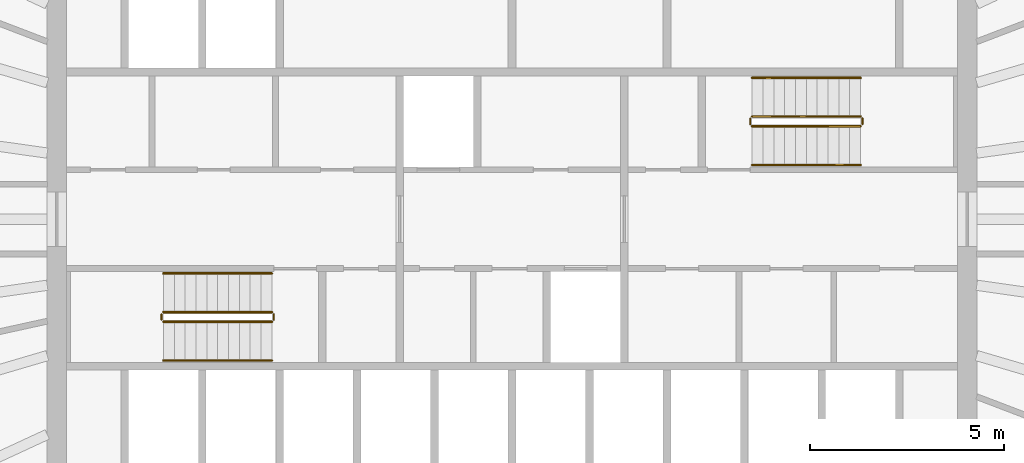
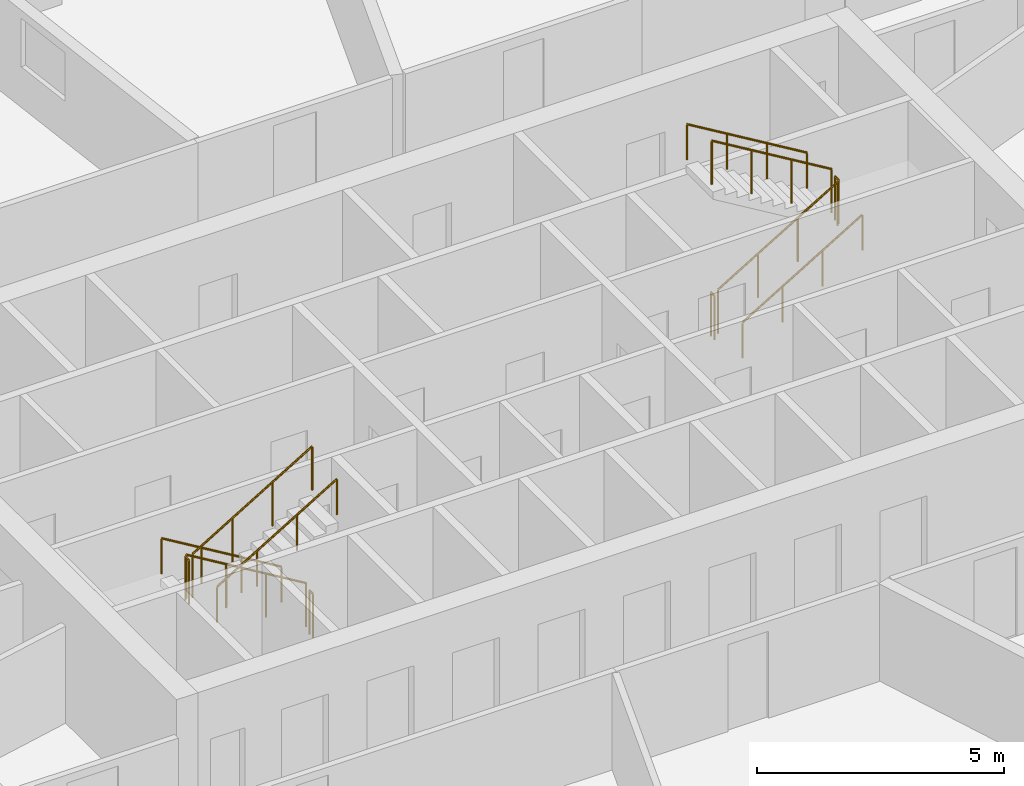
# One storey, part 12 of 12: 12 railings.
"""IFC4 building model written with IfcOpenShell, lengths in metres."""

from ifc_helpers import new_model, si_unit, direction, frame, origin, origin_2d, place, context, subcontext, project, spatial, circle, extrude, material, type_object, element, save


model = new_model("IFC4")

# Units and contexts
model_context = context("Model", 3, precision=1e-05, world=origin(), true_north=direction((0.0, 1.0)))
body_context = subcontext(model_context, "Body", "Model", "MODEL_VIEW")
ifc_project = project(units=[si_unit("LENGTHUNIT", "METRE"), si_unit("AREAUNIT", "SQUARE_METRE"), si_unit("VOLUMEUNIT", "CUBIC_METRE"), si_unit("PLANEANGLEUNIT", "RADIAN"), si_unit("MASSUNIT", "GRAM", prefix="KILO")], contexts=[model_context])

# Site, building, storey
site_placement = place(None, origin())
site = spatial("IfcSite", under=ifc_project, at=site_placement, CompositionType="ELEMENT")
building_placement = place(site_placement, origin())
building = spatial("IfcBuilding", under=site, at=building_placement, Name="Siaravel Broadcast Tower", CompositionType="ELEMENT")
storey_placement = place(building_placement, frame((0.0, 0.0, 111.89990234375)))
storey = spatial("IfcBuildingStorey", under=building, at=storey_placement, Name="L26", CompositionType="ELEMENT", Elevation=111.89990234375)

# Railings
ifc_material = material(Name="Stainless steel 316L", Category="steel")
railing_type_1 = type_object("IfcRailingType", Name="Stair guard 1100", PredefinedType="GUARDRAIL", material=ifc_material)
railing_1_placement = place(storey_placement, frame((-6.199951171875, -2.39990234375, 0.168212890625)))
element("IfcRailing", 1, at=railing_1_placement, inside=storey, type_object=railing_type_1, Name="L26 ST-1 stair guard 1", PredefinedType="GUARDRAIL", context=body_context, shape_type="SweptSolid", body=[
    extrude(circle(Radius=0.02392578125, at=origin_2d()), frame((0.0, 0.0, 1.076171875), z_axis=(-0.857242211, 0.0, 0.514913383), x_axis=(0.0, -1.0, 0.0)), (0.0, 0.0, 1.0), 3.266357421875),
    extrude(circle(Radius=0.02099609375, at=origin_2d()), origin(), (0.0, 0.0, 1.0), 1.052001953125),
    extrude(circle(Radius=0.02099609375, at=origin_2d()), frame((-0.933349609375, 0.0, 0.560546875)), (0.0, 0.0, 1.0), 1.052001953125),
    extrude(circle(Radius=0.02099609375, at=origin_2d()), frame((-1.86669921875, 0.0, 1.121337890625)), (0.0, 0.0, 1.0), 1.052001953125),
    extrude(circle(Radius=0.02099609375, at=origin_2d()), frame((-2.800048828125, 0.0, 1.681884765625)), (0.0, 0.0, 1.0), 1.052001953125),
])
railing_2_placement = place(storey_placement, frame((-9.050048828125, -2.449951171875, 1.85009765625)))
element("IfcRailing", 2, at=railing_2_placement, inside=storey, type_object=railing_type_1, Name="L26 ST-1 stair guard 2", PredefinedType="GUARDRAIL", context=body_context, shape_type="SweptSolid", body=[
    extrude(circle(Radius=0.02392578125, at=origin_2d()), frame((0.0, 0.0, 1.076171875), z_axis=(0.0, -1.0, 0.0), x_axis=(1.0, 0.0, 0.0)), (0.0, 0.0, 1.0), 0.150146484375),
    extrude(circle(Radius=0.02099609375, at=origin_2d()), origin(), (0.0, 0.0, 1.0), 1.052001953125),
    extrude(circle(Radius=0.02099609375, at=origin_2d()), frame((0.0, -0.150146484375, 0.0)), (0.0, 0.0, 1.0), 1.052001953125),
])
railing_3_placement = place(storey_placement, frame((-9.0, -2.64990234375, 2.018310546875)))
element("IfcRailing", 3, at=railing_3_placement, inside=storey, type_object=railing_type_1, Name="L26 ST-1 stair guard 3", PredefinedType="GUARDRAIL", context=body_context, shape_type="SweptSolid", body=[
    extrude(circle(Radius=0.02392578125, at=origin_2d()), frame((0.0, 0.0, 1.076171875), z_axis=(0.857242211, 0.0, 0.514913383), x_axis=(0.0, 1.0, 0.0)), (0.0, 0.0, 1.0), 3.266357421875),
    extrude(circle(Radius=0.02099609375, at=origin_2d()), origin(), (0.0, 0.0, 1.0), 1.052001953125),
    extrude(circle(Radius=0.02099609375, at=origin_2d()), frame((0.933349609375, 0.0, 0.560546875)), (0.0, 0.0, 1.0), 1.052001953125),
    extrude(circle(Radius=0.02099609375, at=origin_2d()), frame((1.86669921875, 0.0, 1.121337890625)), (0.0, 0.0, 1.0), 1.052001953125),
    extrude(circle(Radius=0.02099609375, at=origin_2d()), frame((2.800048828125, 0.0, 1.681884765625)), (0.0, 0.0, 1.0), 1.052001953125),
])
railing_4_placement = place(storey_placement, frame((-6.14990234375, -2.449951171875, 0.0)))
element("IfcRailing", 4, at=railing_4_placement, inside=storey, type_object=railing_type_1, Name="L26 ST-1 stair guard 4", PredefinedType="GUARDRAIL", context=body_context, shape_type="SweptSolid", body=[
    extrude(circle(Radius=0.02392578125, at=origin_2d()), frame((0.0, 0.0, 1.076171875), z_axis=(0.0, -1.0, 0.0), x_axis=(1.0, 0.0, 0.0)), (0.0, 0.0, 1.0), 0.150146484375),
    extrude(circle(Radius=0.02099609375, at=origin_2d()), origin(), (0.0, 0.0, 1.0), 1.052001953125),
    extrude(circle(Radius=0.02099609375, at=origin_2d()), frame((0.0, -0.150146484375, 0.0)), (0.0, 0.0, 1.0), 1.052001953125),
])
railing_5_placement = place(storey_placement, frame((6.199951171875, 2.39990234375, 0.168212890625)))
element("IfcRailing", 5, at=railing_5_placement, inside=storey, type_object=railing_type_1, Name="L26 ST-2 stair guard 1", PredefinedType="GUARDRAIL", context=body_context, shape_type="SweptSolid", body=[
    extrude(circle(Radius=0.02392578125, at=origin_2d()), frame((0.0, 0.0, 1.076171875), z_axis=(0.857242211, 0.0, 0.514913383), x_axis=(0.0, 1.0, 0.0)), (0.0, 0.0, 1.0), 3.266357421875),
    extrude(circle(Radius=0.02099609375, at=origin_2d()), origin(), (0.0, 0.0, 1.0), 1.052001953125),
    extrude(circle(Radius=0.02099609375, at=origin_2d()), frame((0.933349609375, 0.0, 0.560546875)), (0.0, 0.0, 1.0), 1.052001953125),
    extrude(circle(Radius=0.02099609375, at=origin_2d()), frame((1.86669921875, 0.0, 1.121337890625)), (0.0, 0.0, 1.0), 1.052001953125),
    extrude(circle(Radius=0.02099609375, at=origin_2d()), frame((2.800048828125, 0.0, 1.681884765625)), (0.0, 0.0, 1.0), 1.052001953125),
])
railing_6_placement = place(storey_placement, frame((9.050048828125, 2.449951171875, 1.85009765625)))
element("IfcRailing", 6, at=railing_6_placement, inside=storey, type_object=railing_type_1, Name="L26 ST-2 stair guard 2", PredefinedType="GUARDRAIL", context=body_context, shape_type="SweptSolid", body=[
    extrude(circle(Radius=0.02392578125, at=origin_2d()), frame((0.0, 0.0, 1.076171875), z_axis=(0.0, 1.0, 0.0), x_axis=(-1.0, 0.0, 0.0)), (0.0, 0.0, 1.0), 0.150146484375),
    extrude(circle(Radius=0.02099609375, at=origin_2d()), origin(), (0.0, 0.0, 1.0), 1.052001953125),
    extrude(circle(Radius=0.02099609375, at=origin_2d()), frame((0.0, 0.150146484375, 0.0)), (0.0, 0.0, 1.0), 1.052001953125),
])
railing_7_placement = place(storey_placement, frame((9.0, 2.64990234375, 2.018310546875)))
element("IfcRailing", 7, at=railing_7_placement, inside=storey, type_object=railing_type_1, Name="L26 ST-2 stair guard 3", PredefinedType="GUARDRAIL", context=body_context, shape_type="SweptSolid", body=[
    extrude(circle(Radius=0.02392578125, at=origin_2d()), frame((0.0, 0.0, 1.076171875), z_axis=(-0.857242211, 0.0, 0.514913383), x_axis=(0.0, -1.0, 0.0)), (0.0, 0.0, 1.0), 3.266357421875),
    extrude(circle(Radius=0.02099609375, at=origin_2d()), origin(), (0.0, 0.0, 1.0), 1.052001953125),
    extrude(circle(Radius=0.02099609375, at=origin_2d()), frame((-0.933349609375, 0.0, 0.560546875)), (0.0, 0.0, 1.0), 1.052001953125),
    extrude(circle(Radius=0.02099609375, at=origin_2d()), frame((-1.86669921875, 0.0, 1.121337890625)), (0.0, 0.0, 1.0), 1.052001953125),
    extrude(circle(Radius=0.02099609375, at=origin_2d()), frame((-2.800048828125, 0.0, 1.681884765625)), (0.0, 0.0, 1.0), 1.052001953125),
])
railing_8_placement = place(storey_placement, frame((6.14990234375, 2.449951171875, 0.0)))
element("IfcRailing", 8, at=railing_8_placement, inside=storey, type_object=railing_type_1, Name="L26 ST-2 stair guard 4", PredefinedType="GUARDRAIL", context=body_context, shape_type="SweptSolid", body=[
    extrude(circle(Radius=0.02392578125, at=origin_2d()), frame((0.0, 0.0, 1.076171875), z_axis=(0.0, 1.0, 0.0), x_axis=(-1.0, 0.0, 0.0)), (0.0, 0.0, 1.0), 0.150146484375),
    extrude(circle(Radius=0.02099609375, at=origin_2d()), origin(), (0.0, 0.0, 1.0), 1.052001953125),
    extrude(circle(Radius=0.02099609375, at=origin_2d()), frame((0.0, 0.150146484375, 0.0)), (0.0, 0.0, 1.0), 1.052001953125),
])
railing_type_2 = type_object("IfcRailingType", Name="Stair handrail 900", PredefinedType="HANDRAIL", material=ifc_material)
railing_9_placement = place(storey_placement, frame((-6.199951171875, -1.39990234375, 0.168212890625)))
element("IfcRailing", 9, at=railing_9_placement, inside=storey, type_object=railing_type_2, Name="L26 ST-1 stair handrail 1", PredefinedType="HANDRAIL", context=body_context, shape_type="SweptSolid", body=[
    extrude(circle(Radius=0.02392578125, at=origin_2d()), frame((0.0, 0.0, 0.8759765625), z_axis=(-0.857242211, 0.0, 0.514913383), x_axis=(0.0, -1.0, 0.0)), (0.0, 0.0, 1.0), 3.266357421875),
    extrude(circle(Radius=0.02099609375, at=origin_2d()), origin(), (0.0, 0.0, 1.0), 0.851806640625),
    extrude(circle(Radius=0.02099609375, at=origin_2d()), frame((-0.933349609375, 0.0, 0.560546875)), (0.0, 0.0, 1.0), 0.851806640625),
    extrude(circle(Radius=0.02099609375, at=origin_2d()), frame((-1.86669921875, 0.0, 1.121337890625)), (0.0, 0.0, 1.0), 0.851806640625),
    extrude(circle(Radius=0.02099609375, at=origin_2d()), frame((-2.800048828125, 0.0, 1.681884765625)), (0.0, 0.0, 1.0), 0.851806640625),
])
for number, where, name in (
    (10, (-9.0, -3.64990234375, 2.018310546875), "L26 ST-1 stair handrail 2"),
    (11, (6.199951171875, 1.39990234375, 0.168212890625), "L26 ST-2 stair handrail 1"),
):
    element("IfcRailing", number, at=place(storey_placement, frame(where)), inside=storey, type_object=railing_type_2, Name=name, PredefinedType="HANDRAIL", context=body_context, shape_type="SweptSolid", body=[
        extrude(circle(Radius=0.02392578125, at=origin_2d()), frame((0.0, 0.0, 0.8759765625), z_axis=(0.857242211, 0.0, 0.514913383), x_axis=(0.0, 1.0, 0.0)), (0.0, 0.0, 1.0), 3.266357421875),
        extrude(circle(Radius=0.02099609375, at=origin_2d()), origin(), (0.0, 0.0, 1.0), 0.851806640625),
        extrude(circle(Radius=0.02099609375, at=origin_2d()), frame((0.933349609375, 0.0, 0.560546875)), (0.0, 0.0, 1.0), 0.851806640625),
        extrude(circle(Radius=0.02099609375, at=origin_2d()), frame((1.86669921875, 0.0, 1.121337890625)), (0.0, 0.0, 1.0), 0.851806640625),
        extrude(circle(Radius=0.02099609375, at=origin_2d()), frame((2.800048828125, 0.0, 1.681884765625)), (0.0, 0.0, 1.0), 0.851806640625),
    ])
railing_10_placement = place(storey_placement, frame((9.0, 3.64990234375, 2.018310546875)))
element("IfcRailing", 12, at=railing_10_placement, inside=storey, type_object=railing_type_2, Name="L26 ST-2 stair handrail 2", PredefinedType="HANDRAIL", context=body_context, shape_type="SweptSolid", body=[
    extrude(circle(Radius=0.02392578125, at=origin_2d()), frame((0.0, 0.0, 0.8759765625), z_axis=(-0.857242211, 0.0, 0.514913383), x_axis=(0.0, -1.0, 0.0)), (0.0, 0.0, 1.0), 3.266357421875),
    extrude(circle(Radius=0.02099609375, at=origin_2d()), origin(), (0.0, 0.0, 1.0), 0.851806640625),
    extrude(circle(Radius=0.02099609375, at=origin_2d()), frame((-0.933349609375, 0.0, 0.560546875)), (0.0, 0.0, 1.0), 0.851806640625),
    extrude(circle(Radius=0.02099609375, at=origin_2d()), frame((-1.86669921875, 0.0, 1.121337890625)), (0.0, 0.0, 1.0), 0.851806640625),
    extrude(circle(Radius=0.02099609375, at=origin_2d()), frame((-2.800048828125, 0.0, 1.681884765625)), (0.0, 0.0, 1.0), 0.851806640625),
])

save(model, "model.ifc")
